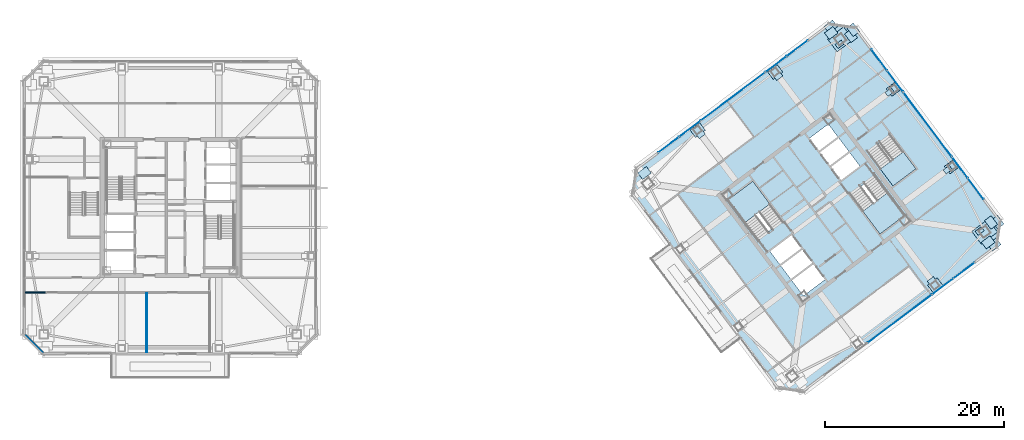
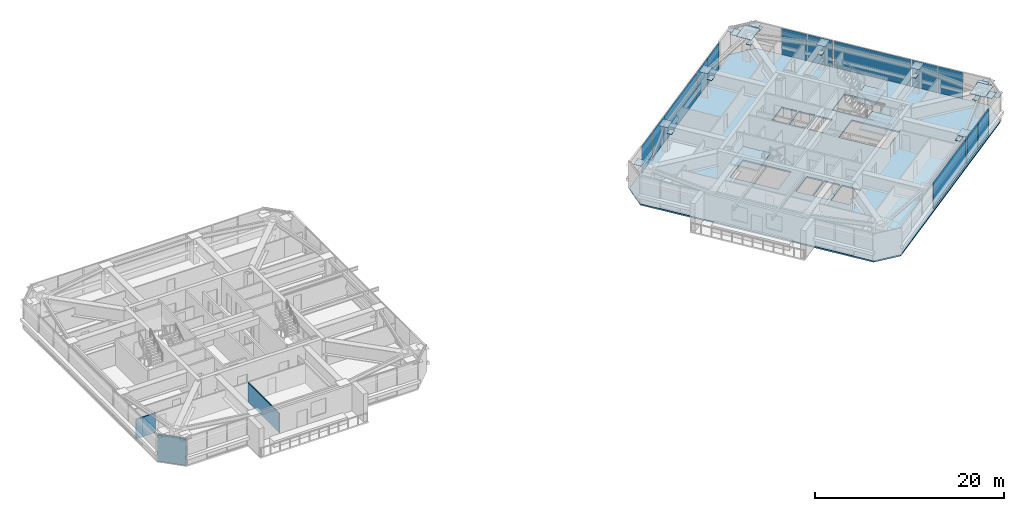
# One storey, part 29 of 40: 36 plates, 4 slabs, 3 walls, 11 elements without a shape of their own.
"""IFC4 building model written with IfcOpenShell, lengths in metres."""

from ifc_helpers import new_model, si_unit, direction, frame, frame_2d, origin, origin_2d, place, context, subcontext, project, spatial, polyline, rectangle, outline, extrude, material, layer, layer_set, type_object, element, aggregate, save


model = new_model("IFC4")

# Units and contexts
model_context = context("Model", 3, precision=1e-05, world=origin(), true_north=direction((0.0, 1.0)))
body_context = subcontext(model_context, "Body", "Model", "MODEL_VIEW")
ifc_project = project(units=[si_unit("LENGTHUNIT", "METRE"), si_unit("AREAUNIT", "SQUARE_METRE"), si_unit("VOLUMEUNIT", "CUBIC_METRE"), si_unit("PLANEANGLEUNIT", "RADIAN"), si_unit("MASSUNIT", "GRAM", prefix="KILO")], contexts=[model_context])

# Site, building, storey
site_placement = place(None, origin())
site = spatial("IfcSite", under=ifc_project, at=site_placement, CompositionType="ELEMENT")
building_placement = place(site_placement, origin())
building = spatial("IfcBuilding", under=site, at=building_placement, Name="Tashvorn Skyway Center", CompositionType="ELEMENT")
storey_placement = place(building_placement, frame((0.0, 0.0, 229.050048828125)))
storey = spatial("IfcBuildingStorey", under=building, at=storey_placement, Name="L62", CompositionType="ELEMENT", Elevation=229.050048828125)

# Curtain wall, plates
ifc_material_1 = material(Name="Thermally broken bronze-anodized aluminium 6063-T6", Category="aluminium")
curtain_wall_type = type_object("IfcCurtainWallType", Name="CW-CW-Z5", PredefinedType="NOTDEFINED", material=ifc_material_1)
curtain_wall_1_placement = place(storey_placement, origin())
curtain_wall_1 = element("IfcCurtainWall", 1, at=curtain_wall_1_placement, inside=storey, type_object=curtain_wall_type, Name="Tower 2 L62 South Unitised Curtain Wall Glazing Group 1", PredefinedType="NOTDEFINED")
ifc_material_2 = material(Name="Low-E solar-control double insulating safety glass", Category="glass")
ifc_layer_1 = layer(ifc_material_2, 0.031982421875)
ifc_layer_set_1 = layer_set([ifc_layer_1], Name="Low-E solar-control double insulating safety glass")
plate_type_1 = type_object("IfcPlateType", Name="CWP-CW-Z5", PredefinedType="CURTAIN_PANEL", material=ifc_layer_set_1)
plate_1_placement = place(storey_placement, frame((130.46337890625, 24.99755859375, 0.06982421875), z_axis=(0.0, 0.0, 1.0), x_axis=(-0.79999799704, -0.600002670604, 0.0)))
plate_1 = element("IfcPlate", 2, at=plate_1_placement, type_object=plate_type_1, Name="CW-Z5 panel 1.1", PredefinedType="CURTAIN_PANEL", context=body_context, shape_type="SweptSolid", body=[
    extrude(rectangle(XDim=2.890625, YDim=0.031982421875, at=origin_2d()), origin(), (0.0, 0.0, 1.0), 3.409912109375),
])
plate_2_placement = place(storey_placement, frame((128.094970703125, 23.22119140625, 0.06982421875), z_axis=(0.0, 0.0, 1.0), x_axis=(-0.79999799704, -0.600002670604, 0.0)))
plate_2 = element("IfcPlate", 3, at=plate_2_placement, type_object=plate_type_1, Name="CW-Z5 panel 2.1", PredefinedType="CURTAIN_PANEL", context=body_context, shape_type="SweptSolid", body=[
    extrude(rectangle(XDim=2.890625, YDim=0.031982421875, at=origin_2d()), origin(), (0.0, 0.0, 1.0), 3.409912109375),
])
aggregate(curtain_wall_1, [plate_1, plate_2])

# Curtain wall, plate
curtain_wall_2_placement = place(storey_placement, origin())
curtain_wall_2 = element("IfcCurtainWall", 4, at=curtain_wall_2_placement, inside=storey, type_object=curtain_wall_type, Name="Tower 2 L62 South Unitised Curtain Wall Glazing Group 2", PredefinedType="NOTDEFINED")
plate_3_placement = place(storey_placement, frame((123.2880859375, 19.615966796875, 0.06982421875), z_axis=(0.0, 0.0, 1.0), x_axis=(-0.800002670596, -0.599996439189, 0.0)))
plate_3 = element("IfcPlate", 5, at=plate_3_placement, type_object=plate_type_1, Name="CW-Z5 panel 1.1", PredefinedType="CURTAIN_PANEL", context=body_context, shape_type="SweptSolid", body=[
    extrude(rectangle(XDim=8.8466796875, YDim=0.031982421875, at=origin_2d()), origin(), (0.0, 0.0, 1.0), 3.409912109375),
])
aggregate(curtain_wall_2, [plate_3])

# Curtain wall, plates
curtain_wall_3_placement = place(storey_placement, origin())
curtain_wall_3 = element("IfcCurtainWall", 6, at=curtain_wall_3_placement, inside=storey, type_object=curtain_wall_type, Name="Tower 2 L62 North Unitised Curtain Wall Glazing Group 1", PredefinedType="NOTDEFINED")
plate_4_placement = place(storey_placement, frame((97.53662109375, 39.00244140625, 0.06982421875), z_axis=(0.0, 0.0, 1.0), x_axis=(0.79999799704, 0.600002670604, 0.0)))
plate_4 = element("IfcPlate", 7, at=plate_4_placement, type_object=plate_type_1, Name="CW-Z5 panel 1.1", PredefinedType="CURTAIN_PANEL", context=body_context, shape_type="SweptSolid", body=[
    extrude(rectangle(XDim=2.890625, YDim=0.031982421875, at=origin_2d()), origin(), (0.0, 0.0, 1.0), 3.409912109375),
])
plate_5_placement = place(storey_placement, frame((99.905029296875, 40.77880859375, 0.06982421875), z_axis=(0.0, 0.0, 1.0), x_axis=(0.79999799704, 0.600002670604, 0.0)))
plate_5 = element("IfcPlate", 8, at=plate_5_placement, type_object=plate_type_1, Name="CW-Z5 panel 2.1", PredefinedType="CURTAIN_PANEL", context=body_context, shape_type="SweptSolid", body=[
    extrude(rectangle(XDim=2.890625, YDim=0.031982421875, at=origin_2d()), origin(), (0.0, 0.0, 1.0), 3.409912109375),
])
aggregate(curtain_wall_3, [plate_4, plate_5])

# Curtain wall, plate
curtain_wall_4_placement = place(storey_placement, origin())
curtain_wall_4 = element("IfcCurtainWall", 9, at=curtain_wall_4_placement, inside=storey, type_object=curtain_wall_type, Name="Tower 2 L62 North Unitised Curtain Wall Glazing Group 2", PredefinedType="NOTDEFINED")
plate_6_placement = place(storey_placement, frame((104.7119140625, 44.384033203125, 0.06982421875), z_axis=(0.0, 0.0, 1.0), x_axis=(0.800002670596, 0.599996439189, 0.0)))
plate_6 = element("IfcPlate", 10, at=plate_6_placement, type_object=plate_type_1, Name="CW-Z5 panel 1.1", PredefinedType="CURTAIN_PANEL", context=body_context, shape_type="SweptSolid", body=[
    extrude(rectangle(XDim=8.8466796875, YDim=0.031982421875, at=origin_2d()), origin(), (0.0, 0.0, 1.0), 3.409912109375),
])
aggregate(curtain_wall_4, [plate_6])

# Curtain wall, plates
curtain_wall_5_placement = place(storey_placement, origin())
curtain_wall_5 = element("IfcCurtainWall", 11, at=curtain_wall_5_placement, inside=storey, type_object=curtain_wall_type, Name="Tower 2 L62 North Unitised Curtain Wall Glazing Group 3", PredefinedType="NOTDEFINED")
plate_7_placement = place(storey_placement, frame((109.51904296875, 47.9892578125, 0.06982421875), z_axis=(0.0, 0.0, 1.0), x_axis=(0.79999799704, 0.600002670604, 0.0)))
plate_7 = element("IfcPlate", 12, at=plate_7_placement, type_object=plate_type_1, Name="CW-Z5 panel 1.1", PredefinedType="CURTAIN_PANEL", context=body_context, shape_type="SweptSolid", body=[
    extrude(rectangle(XDim=2.890625, YDim=0.031982421875, at=origin_2d()), origin(), (0.0, 0.0, 1.0), 3.409912109375),
])
plate_8_placement = place(storey_placement, frame((111.887451171875, 49.765625, 0.06982421875), z_axis=(0.0, 0.0, 1.0), x_axis=(0.79999799704, 0.600002670604, 0.0)))
plate_8 = element("IfcPlate", 13, at=plate_8_placement, type_object=plate_type_1, Name="CW-Z5 panel 2.1", PredefinedType="CURTAIN_PANEL", context=body_context, shape_type="SweptSolid", body=[
    extrude(rectangle(XDim=2.890625, YDim=0.031982421875, at=origin_2d()), origin(), (0.0, 0.0, 1.0), 3.409912109375),
])
aggregate(curtain_wall_5, [plate_7, plate_8])

curtain_wall_6_placement = place(storey_placement, origin())
curtain_wall_6 = element("IfcCurtainWall", 14, at=curtain_wall_6_placement, inside=storey, type_object=curtain_wall_type, Name="Tower 2 L62 East Unitised Curtain Wall Glazing Group 1", PredefinedType="NOTDEFINED")
plate_9_placement = place(storey_placement, frame((121.00244140625, 48.46337890625, 0.06982421875), z_axis=(0.0, 0.0, 1.0), x_axis=(0.600002670604, -0.79999799704, 0.0)))
plate_9 = element("IfcPlate", 15, at=plate_9_placement, type_object=plate_type_1, Name="CW-Z5 panel 1.1", PredefinedType="CURTAIN_PANEL", context=body_context, shape_type="SweptSolid", body=[
    extrude(rectangle(XDim=2.890625, YDim=0.031982421875, at=origin_2d()), origin(), (0.0, 0.0, 1.0), 3.409912109375),
])
plate_10_placement = place(storey_placement, frame((122.77880859375, 46.094970703125, 0.06982421875), z_axis=(0.0, 0.0, 1.0), x_axis=(0.600002670604, -0.79999799704, 0.0)))
plate_10 = element("IfcPlate", 16, at=plate_10_placement, type_object=plate_type_1, Name="CW-Z5 panel 2.1", PredefinedType="CURTAIN_PANEL", context=body_context, shape_type="SweptSolid", body=[
    extrude(rectangle(XDim=2.890625, YDim=0.031982421875, at=origin_2d()), origin(), (0.0, 0.0, 1.0), 3.409912109375),
])
aggregate(curtain_wall_6, [plate_9, plate_10])

# Curtain wall, plate
curtain_wall_7_placement = place(storey_placement, origin())
curtain_wall_7 = element("IfcCurtainWall", 17, at=curtain_wall_7_placement, inside=storey, type_object=curtain_wall_type, Name="Tower 2 L62 East Unitised Curtain Wall Glazing Group 2", PredefinedType="NOTDEFINED")
plate_11_placement = place(storey_placement, frame((126.384033203125, 41.2880859375, 0.06982421875), z_axis=(0.0, 0.0, 1.0), x_axis=(0.599996439189, -0.800002670596, 0.0)))
plate_11 = element("IfcPlate", 18, at=plate_11_placement, type_object=plate_type_1, Name="CW-Z5 panel 1.1", PredefinedType="CURTAIN_PANEL", context=body_context, shape_type="SweptSolid", body=[
    extrude(rectangle(XDim=8.8466796875, YDim=0.031982421875, at=origin_2d()), origin(), (0.0, 0.0, 1.0), 3.409912109375),
])
aggregate(curtain_wall_7, [plate_11])

# Curtain wall, plates
curtain_wall_8_placement = place(storey_placement, origin())
curtain_wall_8 = element("IfcCurtainWall", 19, at=curtain_wall_8_placement, inside=storey, type_object=curtain_wall_type, Name="Tower 2 L62 East Unitised Curtain Wall Glazing Group 3", PredefinedType="NOTDEFINED")
plate_12_placement = place(storey_placement, frame((129.9892578125, 36.48095703125, 0.06982421875), z_axis=(0.0, 0.0, 1.0), x_axis=(0.600002670604, -0.79999799704, 0.0)))
plate_12 = element("IfcPlate", 20, at=plate_12_placement, type_object=plate_type_1, Name="CW-Z5 panel 1.1", PredefinedType="CURTAIN_PANEL", context=body_context, shape_type="SweptSolid", body=[
    extrude(rectangle(XDim=2.890625, YDim=0.031982421875, at=origin_2d()), origin(), (0.0, 0.0, 1.0), 3.409912109375),
])
plate_13_placement = place(storey_placement, frame((131.765625, 34.112548828125, 0.06982421875), z_axis=(0.0, 0.0, 1.0), x_axis=(0.600002670604, -0.79999799704, 0.0)))
plate_13 = element("IfcPlate", 21, at=plate_13_placement, type_object=plate_type_1, Name="CW-Z5 panel 2.1", PredefinedType="CURTAIN_PANEL", context=body_context, shape_type="SweptSolid", body=[
    extrude(rectangle(XDim=2.890625, YDim=0.031982421875, at=origin_2d()), origin(), (0.0, 0.0, 1.0), 3.409912109375),
])
aggregate(curtain_wall_8, [plate_12, plate_13])

# Plates
ifc_material_3 = material(Name="Steel ASTM A572 Grade 50", Category="steel")
ifc_layer_2 = layer(ifc_material_3, 0.034912109375)
ifc_layer_set_2 = layer_set([ifc_layer_2], Name="Steel ASTM A572 Grade 50")
plate_type_2 = type_object("IfcPlateType", Name="PLT-CAP-35", PredefinedType="USERDEFINED", material=ifc_layer_set_2)
for number, where, z_axis, x_axis, name in (
    (22, (133.827880859375, 27.89599609375, 3.3173828125), (0.0, 0.0, 1.0), (0.799999996291, 0.600000004945, 0.0), "Tower 2 Zone 5 S Brace Top End Plate R"),
    (23, (134.18408203125, 30.387939453125, 3.3173828125), (0.0, 0.0, 1.0), (-0.600000004945, 0.799999996291, 0.0), "Tower 2 Zone 5 E Brace Top End Plate L"),
    (24, (118.10400390625, 51.827880859375, 3.3173828125), (0.0, 0.0, 1.0), (-0.600000004945, 0.799999996291, 0.0), "Tower 2 Zone 5 E Brace Top End Plate R"),
    (25, (115.612060546875, 52.18408203125, 3.3173828125), (0.0, 0.0, 1.0), (-0.799999996291, -0.600000004945, 0.0), "Tower 2 Zone 5 N Brace Top End Plate L"),
    (26, (133.14794921875, 28.135986328125, 3.3173828125), (0.0, 0.0, 1.0), (0.799999996291, 0.600000004945, 0.0), "Tower 2 Zone 6 S Brace Base End Plate R"),
    (27, (133.464111328125, 30.347900390625, 3.3173828125), (0.0, 0.0, 1.0), (-0.600000004945, 0.799999996291, 0.0), "Tower 2 Zone 6 E Brace Base End Plate L"),
    (28, (117.864013671875, 51.14794921875, 3.3173828125), (0.0, 0.0, 1.0), (-0.600000004945, 0.799999996291, 0.0), "Tower 2 Zone 6 E Brace Base End Plate R"),
    (29, (115.652099609375, 51.464111328125, 3.3173828125), (0.0, 0.0, 1.0), (-0.799999996291, -0.600000004945, 0.0), "Tower 2 Zone 6 N Brace Base End Plate L"),
    (30, (94.85205078125, 35.864013671875, 3.3173828125), (0.0, 0.0, 1.0), (-0.799999996291, -0.600000004945, 0.0), "Tower 2 Zone 6 N Brace Base End Plate R"),
):
    element("IfcPlate", number, at=place(storey_placement, frame(where, z_axis=z_axis, x_axis=x_axis)), inside=storey, type_object=plate_type_2, Name=name, ObjectType="END PLATE", PredefinedType="USERDEFINED", context=body_context, shape_type="SweptSolid", body=[
        extrude(rectangle(XDim=1.199951171875, YDim=0.919921875, at=origin_2d()), origin(), (0.0, 0.0, 1.0), 0.034912109375),
    ])
ifc_layer_3 = layer(ifc_material_3, 0.050048828125)
ifc_layer_set_3 = layer_set([ifc_layer_3], Name="Steel ASTM A572 Grade 50")
plate_type_3 = type_object("IfcPlateType", Name="PLT-ENDCAP-1650", PredefinedType="USERDEFINED", material=ifc_layer_set_3)
for number, where, z_axis, x_axis, name in (
    (31, (132.760009765625, 29.320068359375, 3.35986328125), (0.0, 0.0, 1.0), (0.799999996291, 0.600000004945, 0.0), "Tower 2 L62 MC-SE Setback Cap End Plate"),
    (32, (116.679931640625, 50.760009765625, 3.35986328125), (0.0, 0.0, 1.0), (0.799999996291, 0.600000004945, 0.0), "Tower 2 L62 MC-NE Setback Cap End Plate"),
):
    element("IfcPlate", number, at=place(storey_placement, frame(where, z_axis=z_axis, x_axis=x_axis)), inside=storey, type_object=plate_type_3, Name=name, ObjectType="END PLATE", PredefinedType="USERDEFINED", context=body_context, shape_type="SweptSolid", body=[
        extrude(rectangle(XDim=2.25, YDim=1.780029296875, at=origin_2d()), origin(), (0.0, 0.0, 1.0), 0.050048828125),
    ])
ifc_layer_4 = layer(ifc_material_3, 0.050048828125)
ifc_layer_set_4 = layer_set([ifc_layer_4], Name="Steel ASTM A572 Grade 50")
plate_type_4 = type_object("IfcPlateType", Name="PLT-ENDCAP-900", PredefinedType="USERDEFINED", material=ifc_layer_set_4)
for number, where, z_axis, x_axis, name in (
    (33, (127.22998046875, 23.360107421875, 3.35986328125), (0.0, 0.0, 1.0), (0.799999996291, 0.600000004945, 0.0), "Tower 2 L62 FC-S2 Setback Cap End Plate"),
    (34, (129.1201171875, 36.590087890625, 3.35986328125), (0.0, 0.0, 1.0), (0.799999996291, 0.600000004945, 0.0), "Tower 2 L62 FC-E1 Setback Cap End Plate"),
    (35, (122.639892578125, 45.22998046875, 3.35986328125), (0.0, 0.0, 1.0), (0.799999996291, 0.600000004945, 0.0), "Tower 2 L62 FC-E2 Setback Cap End Plate"),
    (36, (109.409912109375, 47.1201171875, 3.35986328125), (0.0, 0.0, 1.0), (0.799999996291, 0.600000004945, 0.0), "Tower 2 L62 FC-N1 Setback Cap End Plate"),
    (37, (100.77001953125, 40.639892578125, 3.35986328125), (0.0, 0.0, 1.0), (0.799999996291, 0.600000004945, 0.0), "Tower 2 L62 FC-N2 Setback Cap End Plate"),
):
    element("IfcPlate", number, at=place(storey_placement, frame(where, z_axis=z_axis, x_axis=x_axis)), inside=storey, type_object=plate_type_4, Name=name, ObjectType="END PLATE", PredefinedType="USERDEFINED", context=body_context, shape_type="SweptSolid", body=[
        extrude(rectangle(XDim=1.35009765625, YDim=1.050048828125, at=origin_2d()), origin(), (0.0, 0.0, 1.0), 0.050048828125),
    ])
ifc_layer_5 = layer(ifc_material_3, 0.030029296875)
ifc_layer_set_5 = layer_set([ifc_layer_5], Name="Steel ASTM A572 Grade 50")
plate_type_5 = type_object("IfcPlateType", Name="PLT-STIFF-30", PredefinedType="SHEET", material=ifc_layer_set_5)
for number, where, z_axis, x_axis, name in (
    (38, (132.199951171875, 29.39990234375, 2.455078125), (0.0, 0.0, 1.0), (0.799999996291, 0.600000004945, 0.0), "Tower 2 L62 Transfer Bearing Stiffener MC-SE"),
    (39, (116.60009765625, 50.199951171875, 2.455078125), (0.0, 0.0, 1.0), (0.799999996291, 0.600000004945, 0.0), "Tower 2 L62 Transfer Bearing Stiffener MC-NE"),
    (40, (126.8701171875, 23.840087890625, 2.455078125), (0.0, 0.0, 1.0), (0.799999996291, 0.600000004945, 0.0), "Tower 2 L62 Transfer Bearing Stiffener FC-S2"),
    (41, (128.639892578125, 36.22998046875, 2.455078125), (0.0, 0.0, 1.0), (0.799999996291, 0.600000004945, 0.0), "Tower 2 L62 Transfer Bearing Stiffener FC-E1"),
    (42, (122.159912109375, 44.8701171875, 2.455078125), (0.0, 0.0, 1.0), (0.799999996291, 0.600000004945, 0.0), "Tower 2 L62 Transfer Bearing Stiffener FC-E2"),
    (43, (109.77001953125, 46.639892578125, 2.455078125), (0.0, 0.0, 1.0), (0.799999996291, 0.600000004945, 0.0), "Tower 2 L62 Transfer Bearing Stiffener FC-N1"),
    (44, (101.1298828125, 40.159912109375, 2.455078125), (0.0, 0.0, 1.0), (0.799999996291, 0.600000004945, 0.0), "Tower 2 L62 Transfer Bearing Stiffener FC-N2"),
):
    element("IfcPlate", number, at=place(storey_placement, frame(where, z_axis=z_axis, x_axis=x_axis)), inside=storey, type_object=plate_type_5, Name=name, PredefinedType="SHEET", context=body_context, shape_type="SweptSolid", body=[
        extrude(rectangle(XDim=0.85009765625, YDim=0.550048828125, at=origin_2d()), origin(), (0.0, 0.0, 1.0), 0.030029296875),
    ])

# Slab
ifc_material_4 = material(Name="Concrete C40/50", Category="concrete")
ifc_layer_6 = layer(ifc_material_4, 0.179931640625)
ifc_layer_set_6 = layer_set([ifc_layer_6], Name="Concrete C40/50")
slab_type_1 = type_object("IfcSlabType", Name="SLAB-FLR-180", PredefinedType="FLOOR", material=ifc_layer_set_6)
slab_1_placement = place(storey_placement, frame((0.0, 0.0, -0.179931640625)))
element("IfcSlab", 45, at=slab_1_placement, inside=storey, type_object=slab_type_1, Name="Tower 2 L62 Composite Floor Slab", PredefinedType="FLOOR", context=body_context, shape_type="SweptSolid", body=[
    extrude(outline(polyline([(112.639892578125, 11.47998046875), (134.080078125, 27.56005859375), (134.52001953125, 30.639892578125), (118.43994140625, 52.080078125), (115.360107421875, 52.52001953125), (93.919921875, 36.43994140625), (93.47998046875, 33.360107421875), (109.56005859375, 11.919921875), (112.639892578125, 11.47998046875)]), holes=[polyline([(110.23193359375, 30.52392578125), (106.919921875, 34.93994140625), (104.135986328125, 32.85205078125), (107.447998046875, 28.43603515625), (110.23193359375, 30.52392578125)]), polyline([(117.76806640625, 33.47607421875), (121.080078125, 29.06005859375), (123.864013671875, 31.14794921875), (120.552001953125, 35.56396484375), (117.76806640625, 33.47607421875)]), polyline([(119.7119140625, 38.18408203125), (122.5439453125, 34.407958984375), (125.10400390625, 36.327880859375), (122.27197265625, 40.10400390625), (119.7119140625, 38.18408203125)]), polyline([(109.949951171875, 25.64990234375), (112.35009765625, 27.449951171875), (111.239990234375, 28.929931640625), (108.840087890625, 27.1298828125), (109.949951171875, 25.64990234375)]), polyline([(111.14990234375, 24.050048828125), (113.550048828125, 25.85009765625), (112.43994140625, 27.330078125), (110.0400390625, 25.530029296875), (111.14990234375, 24.050048828125)]), polyline([(112.56005859375, 22.169921875), (114.9599609375, 23.969970703125), (113.669921875, 25.68994140625), (111.27001953125, 23.889892578125), (112.56005859375, 22.169921875)]), polyline([(116.760009765625, 35.070068359375), (118.840087890625, 36.6298828125), (117.72998046875, 38.110107421875), (115.64990234375, 36.550048828125), (116.760009765625, 35.070068359375)]), polyline([(115.530029296875, 36.7099609375), (117.610107421875, 38.27001953125), (116.5, 39.75), (114.419921875, 38.18994140625), (115.530029296875, 36.7099609375)]), polyline([(114.300048828125, 38.35009765625), (116.3798828125, 39.909912109375), (115.330078125, 41.31005859375), (113.25, 39.75), (114.300048828125, 38.35009765625)])]), origin(), (0.0, 0.0, 1.0), 0.179931640625),
])

# Stair, slab
stair_type = type_object("IfcStairType", Name="STAIR-CORE-1500", PredefinedType="HALF_TURN_STAIR", material=ifc_material_4)
stair_1_placement = place(storey_placement, origin())
stair_1 = element("IfcStair", 46, at=stair_1_placement, inside=storey, type_object=stair_type, Name="L62 Tower 2 Exit Stair 1", PredefinedType="HALF_TURN_STAIR")
ifc_layer_7 = layer(ifc_material_4, 0.199951171875)
ifc_layer_set_7 = layer_set([ifc_layer_7], Name="Concrete C40/50")
slab_type_2 = type_object("IfcSlabType", Name="SLAB-LAND-200", PredefinedType="LANDING", material=ifc_layer_set_7)
slab_2_placement = place(storey_placement, frame((0.0, 0.0, 1.574951171875)))
slab_2 = element("IfcSlab", 47, at=slab_2_placement, type_object=slab_type_2, Name="ST-T2-1 landing 1", PredefinedType="LANDING", context=body_context, shape_type="SweptSolid", body=[
    extrude(outline(polyline([(108.82080078125, 32.405517578125), (106.919921875, 34.93994140625), (104.135986328125, 32.85205078125), (106.036865234375, 30.317626953125), (108.82080078125, 32.405517578125)])), origin(), (0.0, 0.0, 1.0), 0.199951171875),
])
aggregate(stair_1, [slab_2])

stair_2_placement = place(storey_placement, origin())
stair_2 = element("IfcStair", 48, at=stair_2_placement, inside=storey, type_object=stair_type, Name="L62 Tower 2 Exit Stair 2", PredefinedType="HALF_TURN_STAIR")
slab_3_placement = place(storey_placement, frame((0.0, 0.0, 1.574951171875)))
slab_3 = element("IfcSlab", 49, at=slab_3_placement, type_object=slab_type_2, Name="ST-T2-2 landing 1", PredefinedType="LANDING", context=body_context, shape_type="SweptSolid", body=[
    extrude(outline(polyline([(119.17919921875, 31.594482421875), (121.080078125, 29.06005859375), (123.864013671875, 31.14794921875), (121.963134765625, 33.682373046875), (119.17919921875, 31.594482421875)])), origin(), (0.0, 0.0, 1.0), 0.199951171875),
])
aggregate(stair_2, [slab_3])

stair_3_placement = place(storey_placement, origin())
stair_3 = element("IfcStair", 50, at=stair_3_placement, inside=storey, type_object=stair_type, Name="L62 Tower 2 Exit Stair 3", PredefinedType="HALF_TURN_STAIR")
slab_4_placement = place(storey_placement, frame((0.0, 0.0, 1.574951171875)))
slab_4 = element("IfcSlab", 51, at=slab_4_placement, type_object=slab_type_2, Name="ST-T2-3 landing 1", PredefinedType="LANDING", context=body_context, shape_type="SweptSolid", body=[
    extrude(outline(polyline([(121.123291015625, 36.302490234375), (122.5439453125, 34.407958984375), (125.10400390625, 36.327880859375), (123.68310546875, 38.222412109375), (121.123291015625, 36.302490234375)])), origin(), (0.0, 0.0, 1.0), 0.199951171875),
])
aggregate(stair_3, [slab_4])

# Walls
ifc_material_5 = material(Name="Precast concrete C40/50", Category="concrete")
ifc_layer_8 = layer(ifc_material_5, 0.280029296875)
ifc_layer_set_8 = layer_set([ifc_layer_8], Name="Precast concrete C40/50")
wall_type_1 = type_object("IfcWallType", Name="WALL-EXT-280", PredefinedType="SOLIDWALL", material=ifc_layer_set_8)
wall_1_placement = place(storey_placement, frame((27.89990234375, 15.699951171875, 0.0), z_axis=(0.0, 0.0, 1.0), x_axis=(-0.707106781187, 0.707106781187, 0.0)))
element("IfcWall", 52, at=wall_1_placement, inside=storey, type_object=wall_type_1, Name="Tower 1 L62 SW Precast Chamfer Wall", PredefinedType="SOLIDWALL", context=body_context, shape_type="SweptSolid", body=[
    extrude(rectangle(XDim=3.111083984375, YDim=0.280029296875, at=frame_2d((1.5556640625, 0.0))), origin(), (0.0, 0.0, 1.0), 3.369873046875),
])
ifc_material_6 = material(Name="Gypsum board on cold-formed steel stud framing", Category="steel")
ifc_layer_9 = layer(ifc_material_6, 0.110107421875)
ifc_layer_set_9 = layer_set([ifc_layer_9], Name="Gypsum board on cold-formed steel stud framing")
wall_type_2 = type_object("IfcWallType", Name="WALL-PART-110", PredefinedType="PARTITIONING", material=ifc_layer_set_9)
wall_2_placement = place(storey_placement, frame((39.39990234375, 15.8701171875, 0.0), z_axis=(0.0, 0.0, 1.0), x_axis=(0.0, 1.0, 0.0)))
element("IfcWall", 53, at=wall_2_placement, inside=storey, type_object=wall_type_2, Name="Tower 1 L62 South Suite Partition 1", PredefinedType="PARTITIONING", context=body_context, shape_type="SweptSolid", body=[
    extrude(rectangle(XDim=6.599853515625, YDim=0.110107421875, at=frame_2d((3.2998046875, 0.0))), origin(), (0.0, 0.0, 1.0), 2.512939453125),
])
ifc_layer_10 = layer(ifc_material_6, 0.135009765625)
ifc_layer_set_10 = layer_set([ifc_layer_10], Name="Gypsum board on cold-formed steel stud framing")
wall_type_3 = type_object("IfcWallType", Name="WALL-PART-135", PredefinedType="PARTITIONING", material=ifc_layer_set_10)
wall_3_placement = place(storey_placement, frame((25.719970703125, 22.550048828125, 0.0), z_axis=(0.0, 0.0, 1.0), x_axis=(1.0, 0.0, 0.0)))
element("IfcWall", 54, at=wall_3_placement, inside=storey, type_object=wall_type_3, Name="Tower 1 L62 South-West Suite North Wall", PredefinedType="PARTITIONING", context=body_context, shape_type="SweptSolid", body=[
    extrude(rectangle(XDim=2.330078125, YDim=0.135009765625, at=frame_2d((1.1650390625, 0.0))), origin(), (0.0, 0.0, 1.0), 2.512939453125),
])

save(model, "model.ifc")
